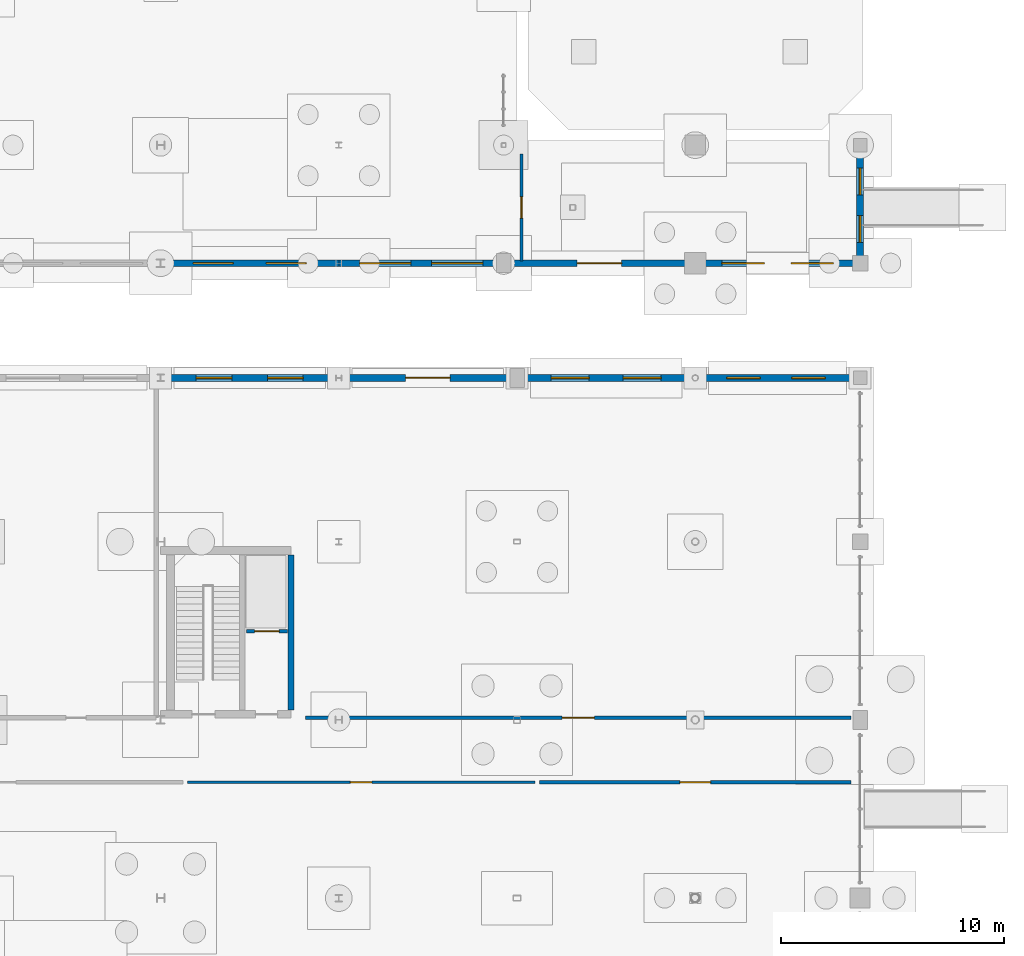
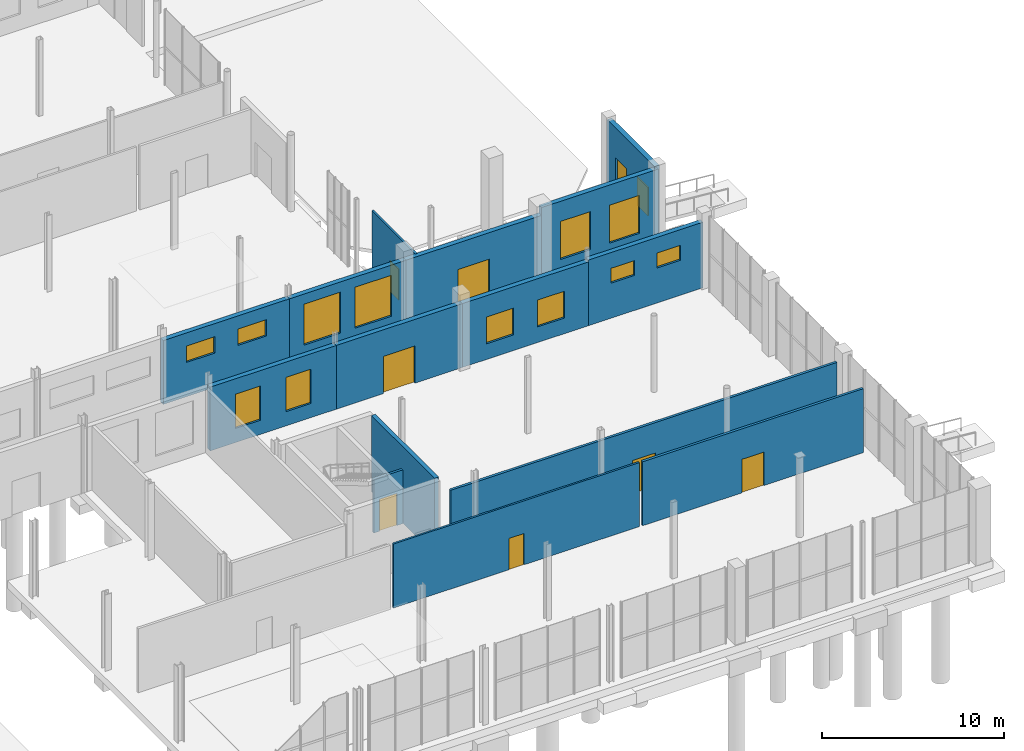
# One storey, part 72 of 87: 15 walls, 14 windows, 7 doors, 21 openings.
"""IFC4 building model written with IfcOpenShell, lengths in metres."""

from ifc_helpers import new_model, si_unit, direction, frame, frame_2d, origin, place, context, subcontext, project, spatial, rectangle, extrude, material, layer, layer_set, type_object, element, fill, save


model = new_model("IFC4")

# Units and contexts
model_context = context("Model", 3, precision=1e-05, world=origin(), true_north=direction((0.0, 1.0)))
body_context = subcontext(model_context, "Body", "Model", "MODEL_VIEW")
ifc_project = project(units=[si_unit("LENGTHUNIT", "METRE"), si_unit("AREAUNIT", "SQUARE_METRE"), si_unit("VOLUMEUNIT", "CUBIC_METRE"), si_unit("PLANEANGLEUNIT", "RADIAN"), si_unit("MASSUNIT", "GRAM", prefix="KILO")], contexts=[model_context])

# Site, building, storey
site_placement = place(None, origin())
site = spatial("IfcSite", under=ifc_project, at=site_placement, CompositionType="ELEMENT")
building_placement = place(site_placement, origin())
building = spatial("IfcBuilding", under=site, at=building_placement, Name="Brisemont Oceanarium", CompositionType="ELEMENT")
storey_placement = place(building_placement, origin())
storey = spatial("IfcBuildingStorey", under=building, at=storey_placement, Name="L00", CompositionType="ELEMENT", Elevation=0.0)

# Wall, openings, windows
ifc_material_1 = material(Name="Sierra Granite Ashlar Backup Concrete C35/45", Category="masonry")
ifc_layer_1 = layer(ifc_material_1, 0.300048828125)
ifc_layer_set_1 = layer_set([ifc_layer_1], Name="Sierra Granite Ashlar Backup Concrete C35/45")
wall_type_1 = type_object("IfcWallType", Name="EW-GRANITE-300", PredefinedType="STANDARD", material=ifc_layer_set_1)
wall_1_placement = place(storey_placement, frame((128.0, 31.35009765625, 0.0), z_axis=(0.0, 0.0, 1.0), x_axis=(1.0, 0.0, 0.0)))
wall_1 = element("IfcWall", 1, at=wall_1_placement, inside=storey, type_object=wall_type_1, Name="Beaux-Arts exterior wall EW-V3N-L00-2", PredefinedType="STANDARD", context=body_context, shape_type="SweptSolid", body=[
    extrude(rectangle(XDim=8.0, YDim=0.300048828125, at=frame_2d((4.0, 0.0))), origin(), (0.0, 0.0, 1.0), 4.280029296875),
])
opening_1_placement = place(wall_1_placement, frame((1.60009765625, 0.0, 0.949951171875)))
opening_1 = element("IfcOpeningElement", 2, at=opening_1_placement, cuts=wall_1, Name="Opening WIN-05", PredefinedType="OPENING", context=body_context, shape_type="SweptSolid", body=[
    extrude(rectangle(XDim=1.60009765625, YDim=2.300048828125, at=frame_2d((0.800048828125, 1.14990234375))), frame((0.0, 0.159912109375, 0.0), z_axis=(0.0, -1.0, 0.0), x_axis=(1.0, 0.0, 0.0)), (0.0, 0.0, 1.0), 0.320068359375),
])
opening_2_placement = place(wall_1_placement, frame((4.800048828125, 0.0, 0.949951171875)))
opening_2 = element("IfcOpeningElement", 3, at=opening_2_placement, cuts=wall_1, Name="Opening WIN-05", PredefinedType="OPENING", context=body_context, shape_type="SweptSolid", body=[
    extrude(rectangle(XDim=1.60009765625, YDim=2.300048828125, at=frame_2d((0.800048828125, 1.14990234375))), frame((0.0, 0.159912109375, 0.0), z_axis=(0.0, -1.0, 0.0), x_axis=(1.0, 0.0, 0.0)), (0.0, 0.0, 1.0), 0.320068359375),
])
ifc_material_2 = material(Name="Insulated Low-E Laminated Glass", Category="glass")
window_type_1 = type_object("IfcWindowType", Name="WIN-BA-1600X2300", PartitioningType="SINGLE_PANEL", PredefinedType="WINDOW", material=ifc_material_2)
window_1_placement = place(opening_1_placement, origin())
window_1 = element("IfcWindow", 4, at=window_1_placement, inside=storey, type_object=window_type_1, Name="WIN-05 facade window 5", OverallHeight=2.300048828125, OverallWidth=1.60009765625, PartitioningType="SINGLE_PANEL", PredefinedType="WINDOW", context=body_context, shape_type="SweptSolid", body=[
    extrude(rectangle(XDim=1.60009765625, YDim=2.300048828125, at=frame_2d((0.800048828125, 1.14990234375))), frame((0.0, 0.030029296875, 0.0), z_axis=(0.0, -1.0, 0.0), x_axis=(1.0, 0.0, 0.0)), (0.0, 0.0, 1.0), 0.06005859375),
])
fill(opening_1, window_1)
window_2_placement = place(opening_2_placement, origin())
window_2 = element("IfcWindow", 5, at=window_2_placement, inside=storey, type_object=window_type_1, Name="WIN-05 facade window 6", OverallHeight=2.300048828125, OverallWidth=1.60009765625, PartitioningType="SINGLE_PANEL", PredefinedType="WINDOW", context=body_context, shape_type="SweptSolid", body=[
    extrude(rectangle(XDim=1.60009765625, YDim=2.300048828125, at=frame_2d((0.800048828125, 1.14990234375))), frame((0.0, 0.030029296875, 0.0), z_axis=(0.0, -1.0, 0.0), x_axis=(1.0, 0.0, 0.0)), (0.0, 0.0, 1.0), 0.06005859375),
])
fill(opening_2, window_2)

# Wall, opening, door
wall_2_placement = place(storey_placement, frame((136.0, 31.35009765625, 0.0), z_axis=(0.0, 0.0, 1.0), x_axis=(1.0, 0.0, 0.0)))
wall_2 = element("IfcWall", 6, at=wall_2_placement, inside=storey, type_object=wall_type_1, Name="Beaux-Arts exterior wall EW-V3N-L00-3", PredefinedType="STANDARD", context=body_context, shape_type="SweptSolid", body=[
    extrude(rectangle(XDim=8.0, YDim=0.300048828125, at=frame_2d((4.0, 0.0))), origin(), (0.0, 0.0, 1.0), 4.280029296875),
])
opening_3_placement = place(wall_2_placement, frame((3.0, 0.0, 0.0)))
opening_3 = element("IfcOpeningElement", 7, at=opening_3_placement, cuts=wall_2, Name="Opening EX-02", PredefinedType="OPENING", context=body_context, shape_type="SweptSolid", body=[
    extrude(rectangle(XDim=2.0, YDim=2.5, at=frame_2d((1.0, 1.25))), frame((0.0, 0.159912109375, 0.0), z_axis=(0.0, -1.0, 0.0), x_axis=(1.0, 0.0, 0.0)), (0.0, 0.0, 1.0), 0.320068359375),
])
ifc_material_3 = material(Name="Patinated Architectural Bronze C38500")
door_type_1 = type_object("IfcDoorType", Name="DR-EXT-2000X2500", OperationType="NOTDEFINED", PredefinedType="DOOR", material=ifc_material_3)
door_1_placement = place(opening_3_placement, origin())
door_1 = element("IfcDoor", 8, at=door_1_placement, inside=storey, type_object=door_type_1, Name="EX-02 exterior entrance door 1", OperationType="DOUBLE_DOOR_SINGLE_SWING", OverallHeight=2.5, OverallWidth=2.0, PredefinedType="DOOR", context=body_context, shape_type="SweptSolid", body=[
    extrude(rectangle(XDim=2.0, YDim=2.5, at=frame_2d((1.0, 1.25))), frame((0.0, 0.02490234375, 0.0), z_axis=(0.0, -1.0, 0.0), x_axis=(1.0, 0.0, 0.0)), (0.0, 0.0, 1.0), 0.050048828125),
])
fill(opening_3, door_1)

# Wall, openings, windows
wall_3_placement = place(storey_placement, frame((144.0, 31.35009765625, 0.0), z_axis=(0.0, 0.0, 1.0), x_axis=(1.0, 0.0, 0.0)))
wall_3 = element("IfcWall", 9, at=wall_3_placement, inside=storey, type_object=wall_type_1, Name="Beaux-Arts exterior wall EW-V3N-L00-4", PredefinedType="STANDARD", context=body_context, shape_type="SweptSolid", body=[
    extrude(rectangle(XDim=8.0, YDim=0.300048828125, at=frame_2d((4.0, 0.0))), origin(), (0.0, 0.0, 1.0), 4.280029296875),
])
opening_4_placement = place(wall_3_placement, frame((1.533203125, 0.0, 1.050048828125)))
opening_4 = element("IfcOpeningElement", 10, at=opening_4_placement, cuts=wall_3, Name="Opening WIN-11", PredefinedType="OPENING", context=body_context, shape_type="SweptSolid", body=[
    extrude(rectangle(XDim=1.699951171875, YDim=1.800048828125, at=frame_2d((0.85009765625, 0.89990234375))), frame((0.0, 0.159912109375, 0.0), z_axis=(0.0, -1.0, 0.0), x_axis=(1.0, 0.0, 0.0)), (0.0, 0.0, 1.0), 0.320068359375),
])
opening_5_placement = place(wall_3_placement, frame((4.7666015625, 0.0, 1.050048828125)))
opening_5 = element("IfcOpeningElement", 11, at=opening_5_placement, cuts=wall_3, Name="Opening WIN-11", PredefinedType="OPENING", context=body_context, shape_type="SweptSolid", body=[
    extrude(rectangle(XDim=1.699951171875, YDim=1.800048828125, at=frame_2d((0.85009765625, 0.89990234375))), frame((0.0, 0.159912109375, 0.0), z_axis=(0.0, -1.0, 0.0), x_axis=(1.0, 0.0, 0.0)), (0.0, 0.0, 1.0), 0.320068359375),
])
ifc_material_4 = material(Name="Insulated Low-E Laminated Glass", Category="glass")
window_type_2 = type_object("IfcWindowType", Name="WIN-LAB-1700X1800", PartitioningType="SINGLE_PANEL", PredefinedType="WINDOW", material=ifc_material_4)
window_3_placement = place(opening_4_placement, origin())
window_3 = element("IfcWindow", 12, at=window_3_placement, inside=storey, type_object=window_type_2, Name="WIN-11 facade window 11", OverallHeight=1.800048828125, OverallWidth=1.699951171875, PartitioningType="SINGLE_PANEL", PredefinedType="WINDOW", context=body_context, shape_type="SweptSolid", body=[
    extrude(rectangle(XDim=1.699951171875, YDim=1.800048828125, at=frame_2d((0.85009765625, 0.89990234375))), frame((0.0, 0.030029296875, 0.0), z_axis=(0.0, -1.0, 0.0), x_axis=(1.0, 0.0, 0.0)), (0.0, 0.0, 1.0), 0.06005859375),
])
fill(opening_4, window_3)
window_4_placement = place(opening_5_placement, origin())
window_4 = element("IfcWindow", 13, at=window_4_placement, inside=storey, type_object=window_type_2, Name="WIN-11 facade window 12", OverallHeight=1.800048828125, OverallWidth=1.699951171875, PartitioningType="SINGLE_PANEL", PredefinedType="WINDOW", context=body_context, shape_type="SweptSolid", body=[
    extrude(rectangle(XDim=1.699951171875, YDim=1.800048828125, at=frame_2d((0.85009765625, 0.89990234375))), frame((0.0, 0.030029296875, 0.0), z_axis=(0.0, -1.0, 0.0), x_axis=(1.0, 0.0, 0.0)), (0.0, 0.0, 1.0), 0.06005859375),
])
fill(opening_5, window_4)

wall_4_placement = place(storey_placement, frame((152.0, 31.35009765625, 0.0), z_axis=(0.0, 0.0, 1.0), x_axis=(1.0, 0.0, 0.0)))
wall_4 = element("IfcWall", 14, at=wall_4_placement, inside=storey, type_object=wall_type_1, Name="Beaux-Arts exterior wall EW-V3N-L00-5", PredefinedType="STANDARD", context=body_context, shape_type="SweptSolid", body=[
    extrude(rectangle(XDim=7.25, YDim=0.300048828125, at=frame_2d((3.625, 0.0))), origin(), (0.0, 0.0, 1.0), 4.402099609375),
])
opening_6_placement = place(wall_4_placement, frame((1.416748046875, 0.0, 2.35009765625)))
opening_6 = element("IfcOpeningElement", 15, at=opening_6_placement, cuts=wall_4, Name="Opening WIN-15", PredefinedType="OPENING", context=body_context, shape_type="SweptSolid", body=[
    extrude(rectangle(XDim=1.5, YDim=1.0, at=frame_2d((0.75, 0.5))), frame((0.0, 0.159912109375, 0.0), z_axis=(0.0, -1.0, 0.0), x_axis=(1.0, 0.0, 0.0)), (0.0, 0.0, 1.0), 0.320068359375),
])
opening_7_placement = place(wall_4_placement, frame((4.333251953125, 0.0, 2.35009765625)))
opening_7 = element("IfcOpeningElement", 16, at=opening_7_placement, cuts=wall_4, Name="Opening WIN-15", PredefinedType="OPENING", context=body_context, shape_type="SweptSolid", body=[
    extrude(rectangle(XDim=1.5, YDim=1.0, at=frame_2d((0.75, 0.5))), frame((0.0, 0.159912109375, 0.0), z_axis=(0.0, -1.0, 0.0), x_axis=(1.0, 0.0, 0.0)), (0.0, 0.0, 1.0), 0.320068359375),
])
ifc_material_5 = material(Name="Insulated Low-E Laminated Glass", Category="glass")
window_type_3 = type_object("IfcWindowType", Name="WIN-CLR-1500X1000", PartitioningType="SINGLE_PANEL", PredefinedType="WINDOW", material=ifc_material_5)
window_5_placement = place(opening_6_placement, origin())
window_5 = element("IfcWindow", 17, at=window_5_placement, inside=storey, type_object=window_type_3, Name="WIN-15 facade window 15", OverallHeight=1.0, OverallWidth=1.5, PartitioningType="SINGLE_PANEL", PredefinedType="WINDOW", context=body_context, shape_type="SweptSolid", body=[
    extrude(rectangle(XDim=1.5, YDim=1.0, at=frame_2d((0.75, 0.5))), frame((0.0, 0.030029296875, 0.0), z_axis=(0.0, -1.0, 0.0), x_axis=(1.0, 0.0, 0.0)), (0.0, 0.0, 1.0), 0.06005859375),
])
fill(opening_6, window_5)
window_6_placement = place(opening_7_placement, origin())
window_6 = element("IfcWindow", 18, at=window_6_placement, inside=storey, type_object=window_type_3, Name="WIN-15 facade window 16", OverallHeight=1.0, OverallWidth=1.5, PartitioningType="SINGLE_PANEL", PredefinedType="WINDOW", context=body_context, shape_type="SweptSolid", body=[
    extrude(rectangle(XDim=1.5, YDim=1.0, at=frame_2d((0.75, 0.5))), frame((0.0, 0.030029296875, 0.0), z_axis=(0.0, -1.0, 0.0), x_axis=(1.0, 0.0, 0.0)), (0.0, 0.0, 1.0), 0.06005859375),
])
fill(opening_7, window_6)

wall_5_placement = place(storey_placement, frame((128.0, 36.5, 0.0), z_axis=(0.0, 0.0, 1.0), x_axis=(1.0, 0.0, 0.0)))
wall_5 = element("IfcWall", 19, at=wall_5_placement, inside=storey, type_object=wall_type_1, Name="Beaux-Arts exterior wall EW-V5ES-L00-3", PredefinedType="STANDARD", context=body_context, shape_type="SweptSolid", body=[
    extrude(rectangle(XDim=8.0, YDim=0.300048828125, at=frame_2d((4.0, 0.0))), origin(), (0.0, 0.0, 1.0), 4.280029296875),
])
opening_8_placement = place(wall_5_placement, frame((1.466796875, 0.0, 2.300048828125)))
opening_8 = element("IfcOpeningElement", 20, at=opening_8_placement, cuts=wall_5, Name="Opening WIN-14", PredefinedType="OPENING", context=body_context, shape_type="SweptSolid", body=[
    extrude(rectangle(XDim=1.800048828125, YDim=1.10009765625, at=frame_2d((0.89990234375, 0.550048828125))), frame((0.0, 0.159912109375, 0.0), z_axis=(0.0, -1.0, 0.0), x_axis=(1.0, 0.0, 0.0)), (0.0, 0.0, 1.0), 0.320068359375),
])
opening_9_placement = place(wall_5_placement, frame((4.7333984375, 0.0, 2.300048828125)))
opening_9 = element("IfcOpeningElement", 21, at=opening_9_placement, cuts=wall_5, Name="Opening WIN-14", PredefinedType="OPENING", context=body_context, shape_type="SweptSolid", body=[
    extrude(rectangle(XDim=1.800048828125, YDim=1.10009765625, at=frame_2d((0.89990234375, 0.550048828125))), frame((0.0, 0.159912109375, 0.0), z_axis=(0.0, -1.0, 0.0), x_axis=(1.0, 0.0, 0.0)), (0.0, 0.0, 1.0), 0.320068359375),
])
ifc_material_6 = material(Name="Insulated Low-E Laminated Glass", Category="glass")
window_type_4 = type_object("IfcWindowType", Name="WIN-CLR-1800X1100", PartitioningType="SINGLE_PANEL", PredefinedType="WINDOW", material=ifc_material_6)
window_7_placement = place(opening_8_placement, origin())
window_7 = element("IfcWindow", 22, at=window_7_placement, inside=storey, type_object=window_type_4, Name="WIN-14 facade window 41", OverallHeight=1.10009765625, OverallWidth=1.800048828125, PartitioningType="SINGLE_PANEL", PredefinedType="WINDOW", context=body_context, shape_type="SweptSolid", body=[
    extrude(rectangle(XDim=1.800048828125, YDim=1.10009765625, at=frame_2d((0.89990234375, 0.550048828125))), frame((0.0, 0.030029296875, 0.0), z_axis=(0.0, -1.0, 0.0), x_axis=(1.0, 0.0, 0.0)), (0.0, 0.0, 1.0), 0.06005859375),
])
fill(opening_8, window_7)
window_8_placement = place(opening_9_placement, origin())
window_8 = element("IfcWindow", 23, at=window_8_placement, inside=storey, type_object=window_type_4, Name="WIN-14 facade window 42", OverallHeight=1.10009765625, OverallWidth=1.800048828125, PartitioningType="SINGLE_PANEL", PredefinedType="WINDOW", context=body_context, shape_type="SweptSolid", body=[
    extrude(rectangle(XDim=1.800048828125, YDim=1.10009765625, at=frame_2d((0.89990234375, 0.550048828125))), frame((0.0, 0.030029296875, 0.0), z_axis=(0.0, -1.0, 0.0), x_axis=(1.0, 0.0, 0.0)), (0.0, 0.0, 1.0), 0.06005859375),
])
fill(opening_9, window_8)

wall_6_placement = place(storey_placement, frame((136.0, 36.5, 0.0), z_axis=(0.0, 0.0, 1.0), x_axis=(1.0, 0.0, 0.0)))
wall_6 = element("IfcWall", 24, at=wall_6_placement, inside=storey, type_object=wall_type_1, Name="Beaux-Arts exterior wall EW-V5ES-L00-4", PredefinedType="STANDARD", context=body_context, shape_type="SweptSolid", body=[
    extrude(rectangle(XDim=7.39990234375, YDim=0.300048828125, at=frame_2d((3.699951171875, 0.0))), origin(), (0.0, 0.0, 1.0), 4.280029296875),
])
opening_10_placement = place(wall_6_placement, frame((0.933349609375, 0.0, 0.85009765625)))
opening_10 = element("IfcOpeningElement", 25, at=opening_10_placement, cuts=wall_6, Name="Opening WIN-16", PredefinedType="OPENING", context=body_context, shape_type="SweptSolid", body=[
    extrude(rectangle(XDim=2.300048828125, YDim=2.75, at=frame_2d((1.14990234375, 1.375))), frame((0.0, 0.159912109375, 0.0), z_axis=(0.0, -1.0, 0.0), x_axis=(1.0, 0.0, 0.0)), (0.0, 0.0, 1.0), 0.320068359375),
])
opening_11_placement = place(wall_6_placement, frame((4.166748046875, 0.0, 0.85009765625)))
opening_11 = element("IfcOpeningElement", 26, at=opening_11_placement, cuts=wall_6, Name="Opening WIN-16", PredefinedType="OPENING", context=body_context, shape_type="SweptSolid", body=[
    extrude(rectangle(XDim=2.300048828125, YDim=2.75, at=frame_2d((1.14990234375, 1.375))), frame((0.0, 0.159912109375, 0.0), z_axis=(0.0, -1.0, 0.0), x_axis=(1.0, 0.0, 0.0)), (0.0, 0.0, 1.0), 0.320068359375),
])
ifc_material_7 = material(Name="Insulated Low-E Laminated Glass", Category="glass")
window_type_5 = type_object("IfcWindowType", Name="WIN-BA-2300X2750", PartitioningType="SINGLE_PANEL", PredefinedType="WINDOW", material=ifc_material_7)
window_9_placement = place(opening_10_placement, origin())
window_9 = element("IfcWindow", 27, at=window_9_placement, inside=storey, type_object=window_type_5, Name="WIN-16 facade window 43", OverallHeight=2.75, OverallWidth=2.300048828125, PartitioningType="SINGLE_PANEL", PredefinedType="WINDOW", context=body_context, shape_type="SweptSolid", body=[
    extrude(rectangle(XDim=2.300048828125, YDim=2.75, at=frame_2d((1.14990234375, 1.375))), frame((0.0, 0.030029296875, 0.0), z_axis=(0.0, -1.0, 0.0), x_axis=(1.0, 0.0, 0.0)), (0.0, 0.0, 1.0), 0.06005859375),
])
fill(opening_10, window_9)
window_10_placement = place(opening_11_placement, origin())
window_10 = element("IfcWindow", 28, at=window_10_placement, inside=storey, type_object=window_type_5, Name="WIN-16 facade window 44", OverallHeight=2.75, OverallWidth=2.300048828125, PartitioningType="SINGLE_PANEL", PredefinedType="WINDOW", context=body_context, shape_type="SweptSolid", body=[
    extrude(rectangle(XDim=2.300048828125, YDim=2.75, at=frame_2d((1.14990234375, 1.375))), frame((0.0, 0.030029296875, 0.0), z_axis=(0.0, -1.0, 0.0), x_axis=(1.0, 0.0, 0.0)), (0.0, 0.0, 1.0), 0.06005859375),
])
fill(opening_11, window_10)

# Wall, opening, door
wall_7_placement = place(storey_placement, frame((143.39990234375, 36.5, 0.0), z_axis=(0.0, 0.0, 1.0), x_axis=(1.0, 0.0, 0.0)))
wall_7 = element("IfcWall", 29, at=wall_7_placement, inside=storey, type_object=wall_type_1, Name="Beaux-Arts exterior wall EW-V5ES-L00-5", PredefinedType="STANDARD", context=body_context, shape_type="SweptSolid", body=[
    extrude(rectangle(XDim=8.60009765625, YDim=0.300048828125, at=frame_2d((4.300048828125, 0.0))), origin(), (0.0, 0.0, 1.0), 4.280029296875),
])
opening_12_placement = place(wall_7_placement, frame((3.300048828125, 0.0, 0.0)))
opening_12 = element("IfcOpeningElement", 30, at=opening_12_placement, cuts=wall_7, Name="Opening EX-02", PredefinedType="OPENING", context=body_context, shape_type="SweptSolid", body=[
    extrude(rectangle(XDim=2.0, YDim=2.5, at=frame_2d((1.0, 1.25))), frame((0.0, 0.159912109375, 0.0), z_axis=(0.0, -1.0, 0.0), x_axis=(1.0, 0.0, 0.0)), (0.0, 0.0, 1.0), 0.320068359375),
])
door_2_placement = place(opening_12_placement, origin())
door_2 = element("IfcDoor", 31, at=door_2_placement, inside=storey, type_object=door_type_1, Name="EX-02 exterior entrance door 5", OperationType="DOUBLE_DOOR_SINGLE_SWING", OverallHeight=2.5, OverallWidth=2.0, PredefinedType="DOOR", context=body_context, shape_type="SweptSolid", body=[
    extrude(rectangle(XDim=2.0, YDim=2.5, at=frame_2d((1.0, 1.25))), frame((0.0, 0.02490234375, 0.0), z_axis=(0.0, -1.0, 0.0), x_axis=(1.0, 0.0, 0.0)), (0.0, 0.0, 1.0), 0.050048828125),
])
fill(opening_12, door_2)

# Wall, openings, windows
wall_8_placement = place(storey_placement, frame((152.0, 36.5, 0.0), z_axis=(0.0, 0.0, 1.0), x_axis=(1.0, 0.0, 0.0)))
wall_8 = element("IfcWall", 32, at=wall_8_placement, inside=storey, type_object=wall_type_1, Name="Beaux-Arts exterior wall EW-V5ES-L00-6", PredefinedType="STANDARD", context=body_context, shape_type="SweptSolid", body=[
    extrude(rectangle(XDim=7.39990234375, YDim=0.300048828125, at=frame_2d((3.699951171875, 0.0))), origin(), (0.0, 0.0, 1.0), 4.800048828125),
])
opening_13_placement = place(wall_8_placement, frame((1.199951171875, 0.0, 0.89990234375)))
opening_13 = element("IfcOpeningElement", 33, at=opening_13_placement, cuts=wall_8, Name="Opening WIN-18", PredefinedType="OPENING", context=body_context, shape_type="SweptSolid", body=[
    extrude(rectangle(XDim=1.89990234375, YDim=2.550048828125, at=frame_2d((0.949951171875, 1.27490234375))), frame((0.0, 0.159912109375, 0.0), z_axis=(0.0, -1.0, 0.0), x_axis=(1.0, 0.0, 0.0)), (0.0, 0.0, 1.0), 0.320068359375),
])
opening_14_placement = place(wall_8_placement, frame((4.300048828125, 0.0, 0.89990234375)))
opening_14 = element("IfcOpeningElement", 34, at=opening_14_placement, cuts=wall_8, Name="Opening WIN-18", PredefinedType="OPENING", context=body_context, shape_type="SweptSolid", body=[
    extrude(rectangle(XDim=1.89990234375, YDim=2.550048828125, at=frame_2d((0.949951171875, 1.27490234375))), frame((0.0, 0.159912109375, 0.0), z_axis=(0.0, -1.0, 0.0), x_axis=(1.0, 0.0, 0.0)), (0.0, 0.0, 1.0), 0.320068359375),
])
ifc_material_8 = material(Name="Insulated Low-E Laminated Glass", Category="glass")
window_type_6 = type_object("IfcWindowType", Name="WIN-BA-1900X2550", PartitioningType="SINGLE_PANEL", PredefinedType="WINDOW", material=ifc_material_8)
window_11_placement = place(opening_13_placement, origin())
window_11 = element("IfcWindow", 35, at=window_11_placement, inside=storey, type_object=window_type_6, Name="WIN-18 facade window 45", OverallHeight=2.550048828125, OverallWidth=1.89990234375, PartitioningType="SINGLE_PANEL", PredefinedType="WINDOW", context=body_context, shape_type="SweptSolid", body=[
    extrude(rectangle(XDim=1.89990234375, YDim=2.550048828125, at=frame_2d((0.949951171875, 1.27490234375))), frame((0.0, 0.030029296875, 0.0), z_axis=(0.0, -1.0, 0.0), x_axis=(1.0, 0.0, 0.0)), (0.0, 0.0, 1.0), 0.06005859375),
])
fill(opening_13, window_11)
window_12_placement = place(opening_14_placement, origin())
window_12 = element("IfcWindow", 36, at=window_12_placement, inside=storey, type_object=window_type_6, Name="WIN-18 facade window 46", OverallHeight=2.550048828125, OverallWidth=1.89990234375, PartitioningType="SINGLE_PANEL", PredefinedType="WINDOW", context=body_context, shape_type="SweptSolid", body=[
    extrude(rectangle(XDim=1.89990234375, YDim=2.550048828125, at=frame_2d((0.949951171875, 1.27490234375))), frame((0.0, 0.030029296875, 0.0), z_axis=(0.0, -1.0, 0.0), x_axis=(1.0, 0.0, 0.0)), (0.0, 0.0, 1.0), 0.06005859375),
])
fill(opening_14, window_12)

wall_9_placement = place(storey_placement, frame((159.39990234375, 36.5, 0.0), z_axis=(0.0, 0.0, 1.0), x_axis=(0.0, 1.0, 0.0)))
wall_9 = element("IfcWall", 37, at=wall_9_placement, inside=storey, type_object=wall_type_1, Name="Beaux-Arts exterior wall EW-V5E-ES-L00", PredefinedType="STANDARD", context=body_context, shape_type="SweptSolid", body=[
    extrude(rectangle(XDim=5.199951171875, YDim=0.300048828125, at=frame_2d((2.60009765625, 0.0))), origin(), (0.0, 0.0, 1.0), 4.919921875),
])
opening_15_placement = place(wall_9_placement, frame((0.933349609375, 0.0, 1.0)))
opening_15 = element("IfcOpeningElement", 38, at=opening_15_placement, cuts=wall_9, Name="Opening WIN-08", PredefinedType="OPENING", context=body_context, shape_type="SweptSolid", body=[
    extrude(rectangle(XDim=1.199951171875, YDim=1.89990234375, at=frame_2d((0.60009765625, 0.949951171875))), frame((0.0, 0.159912109375, 0.0), z_axis=(0.0, -1.0, 0.0), x_axis=(1.0, 0.0, 0.0)), (0.0, 0.0, 1.0), 0.320068359375),
])
opening_16_placement = place(wall_9_placement, frame((3.066650390625, 0.0, 1.0)))
opening_16 = element("IfcOpeningElement", 39, at=opening_16_placement, cuts=wall_9, Name="Opening WIN-08", PredefinedType="OPENING", context=body_context, shape_type="SweptSolid", body=[
    extrude(rectangle(XDim=1.199951171875, YDim=1.89990234375, at=frame_2d((0.60009765625, 0.949951171875))), frame((0.0, 0.159912109375, 0.0), z_axis=(0.0, -1.0, 0.0), x_axis=(1.0, 0.0, 0.0)), (0.0, 0.0, 1.0), 0.320068359375),
])
ifc_material_9 = material(Name="Insulated Low-E Laminated Glass", Category="glass")
window_type_7 = type_object("IfcWindowType", Name="WIN-BA-1200X1900", PartitioningType="SINGLE_PANEL", PredefinedType="WINDOW", material=ifc_material_9)
window_13_placement = place(opening_15_placement, origin())
window_13 = element("IfcWindow", 40, at=window_13_placement, inside=storey, type_object=window_type_7, Name="WIN-08 facade window 116", OverallHeight=1.89990234375, OverallWidth=1.199951171875, PartitioningType="SINGLE_PANEL", PredefinedType="WINDOW", context=body_context, shape_type="SweptSolid", body=[
    extrude(rectangle(XDim=1.199951171875, YDim=1.89990234375, at=frame_2d((0.60009765625, 0.949951171875))), frame((0.0, 0.030029296875, 0.0), z_axis=(0.0, -1.0, 0.0), x_axis=(1.0, 0.0, 0.0)), (0.0, 0.0, 1.0), 0.06005859375),
])
fill(opening_15, window_13)
window_14_placement = place(opening_16_placement, origin())
window_14 = element("IfcWindow", 41, at=window_14_placement, inside=storey, type_object=window_type_7, Name="WIN-08 facade window 117", OverallHeight=1.89990234375, OverallWidth=1.199951171875, PartitioningType="SINGLE_PANEL", PredefinedType="WINDOW", context=body_context, shape_type="SweptSolid", body=[
    extrude(rectangle(XDim=1.199951171875, YDim=1.89990234375, at=frame_2d((0.60009765625, 0.949951171875))), frame((0.0, 0.030029296875, 0.0), z_axis=(0.0, -1.0, 0.0), x_axis=(1.0, 0.0, 0.0)), (0.0, 0.0, 1.0), 0.06005859375),
])
fill(opening_16, window_14)

# Wall, opening, door
ifc_material_10 = material(Name="Moisture-Resistant Gypsum Steel-Stud Partition", Category="steel")
ifc_layer_2 = layer(ifc_material_10, 0.159912109375)
ifc_layer_set_2 = layer_set([ifc_layer_2], Name="Moisture-Resistant Gypsum Steel-Stud Partition")
wall_type_2 = type_object("IfcWallType", Name="IW-FB-160", PredefinedType="PARTITIONING", material=ifc_layer_set_2)
wall_10_placement = place(storey_placement, frame((131.85009765625, 19.969970703125, 0.0), z_axis=(0.0, 0.0, 1.0), x_axis=(1.0, 0.0, 0.0)))
wall_10 = element("IfcWall", 42, at=wall_10_placement, inside=storey, type_object=wall_type_2, Name="Core C4 L00 lift hoistway front wall", PredefinedType="PARTITIONING", context=body_context, shape_type="SweptSolid", body=[
    extrude(rectangle(XDim=1.83984375, YDim=0.159912109375, at=frame_2d((0.919921875, 0.0))), origin(), (0.0, 0.0, 1.0), 3.60009765625),
])
opening_17_placement = place(wall_10_placement, frame((0.3701171875, 0.0, 0.0)))
opening_17 = element("IfcOpeningElement", 43, at=opening_17_placement, cuts=wall_10, Name="Opening LD-01", PredefinedType="OPENING", context=body_context, shape_type="SweptSolid", body=[
    extrude(rectangle(XDim=1.10009765625, YDim=2.14990234375, at=frame_2d((0.550048828125, 1.074951171875))), frame((0.0, 0.08984375, 0.0), z_axis=(0.0, -1.0, 0.0), x_axis=(1.0, 0.0, 0.0)), (0.0, 0.0, 1.0), 0.179931640625),
])
ifc_material_11 = material(Name="Duplex Stainless Steel EN 1.4462", Category="steel")
door_type_2 = type_object("IfcDoorType", Name="DR-LIFT-1100X2150", OperationType="NOTDEFINED", PredefinedType="DOOR", material=ifc_material_11)
door_3_placement = place(opening_17_placement, origin())
door_3 = element("IfcDoor", 44, at=door_3_placement, inside=storey, type_object=door_type_2, Name="Lift landing door LF-04 L00", OperationType="SLIDING_TO_LEFT", OverallHeight=2.14990234375, OverallWidth=1.10009765625, PredefinedType="DOOR", context=body_context, shape_type="SweptSolid", body=[
    extrude(rectangle(XDim=1.10009765625, YDim=2.14990234375, at=frame_2d((0.550048828125, 1.074951171875))), frame((0.0, 0.02490234375, 0.0), z_axis=(0.0, -1.0, 0.0), x_axis=(1.0, 0.0, 0.0)), (0.0, 0.0, 1.0), 0.050048828125),
])
fill(opening_17, door_3)

wall_11_placement = place(storey_placement, frame((145.0, 13.199951171875, 0.0), z_axis=(0.0, 0.0, 1.0), x_axis=(1.0, 0.0, 0.0)))
wall_11 = element("IfcWall", 45, at=wall_11_placement, inside=storey, type_object=wall_type_2, Name="Education Centre Lecture Amphitheatre corridor partition", PredefinedType="PARTITIONING", context=body_context, shape_type="SweptSolid", body=[
    extrude(rectangle(XDim=14.0, YDim=0.159912109375, at=frame_2d((7.0, 0.0))), origin(), (0.0, 0.0, 1.0), 4.2900390625),
])
opening_18_placement = place(wall_11_placement, frame((6.31005859375, 0.0, 0.0)))
opening_18 = element("IfcOpeningElement", 46, at=opening_18_placement, cuts=wall_11, Name="Opening PD-01", PredefinedType="OPENING", context=body_context, shape_type="SweptSolid", body=[
    extrude(rectangle(XDim=1.3798828125, YDim=2.25, at=frame_2d((0.68994140625, 1.125))), frame((0.0, 0.08984375, 0.0), z_axis=(0.0, -1.0, 0.0), x_axis=(1.0, 0.0, 0.0)), (0.0, 0.0, 1.0), 0.179931640625),
])
ifc_material_12 = material(Name="Duplex Stainless Steel EN 1.4462", Category="steel")
door_type_3 = type_object("IfcDoorType", Name="DR-PLT-1380X2250", OperationType="NOTDEFINED", PredefinedType="DOOR", material=ifc_material_12)
door_4_placement = place(opening_18_placement, origin())
door_4 = element("IfcDoor", 47, at=door_4_placement, inside=storey, type_object=door_type_3, Name="PD-01 door to Education Centre Lecture Amphitheatre", OperationType="SINGLE_SWING_RIGHT", OverallHeight=2.25, OverallWidth=1.3798828125, PredefinedType="DOOR", context=body_context, shape_type="SweptSolid", body=[
    extrude(rectangle(XDim=1.3798828125, YDim=2.25, at=frame_2d((0.68994140625, 1.125))), frame((0.0, 0.02490234375, 0.0), z_axis=(0.0, -1.0, 0.0), x_axis=(1.0, 0.0, 0.0)), (0.0, 0.0, 1.0), 0.050048828125),
])
fill(opening_18, door_4)

wall_12_placement = place(storey_placement, frame((134.5, 16.10009765625, 0.0), z_axis=(0.0, 0.0, 1.0), x_axis=(1.0, 0.0, 0.0)))
wall_12 = element("IfcWall", 48, at=wall_12_placement, inside=storey, type_object=wall_type_2, Name="Education Centre STEM Marine Lab corridor partition", PredefinedType="PARTITIONING", context=body_context, shape_type="SweptSolid", body=[
    extrude(rectangle(XDim=24.5, YDim=0.159912109375, at=frame_2d((12.25, 0.0))), origin(), (0.0, 0.0, 1.0), 4.2900390625),
])
opening_19_placement = place(wall_12_placement, frame((11.52490234375, 0.0, 0.0)))
opening_19 = element("IfcOpeningElement", 49, at=opening_19_placement, cuts=wall_12, Name="Opening FD90-1", PredefinedType="OPENING", context=body_context, shape_type="SweptSolid", body=[
    extrude(rectangle(XDim=1.449951171875, YDim=2.25, at=frame_2d((0.72509765625, 1.125))), frame((0.0, 0.08984375, 0.0), z_axis=(0.0, -1.0, 0.0), x_axis=(1.0, 0.0, 0.0)), (0.0, 0.0, 1.0), 0.179931640625),
])
ifc_material_13 = material(Name="FSC White Oak Solid-Core Fire Door")
door_type_4 = type_object("IfcDoorType", Name="DR-LOB-1450X2250", OperationType="NOTDEFINED", PredefinedType="DOOR", material=ifc_material_13)
door_5_placement = place(opening_19_placement, origin())
door_5 = element("IfcDoor", 50, at=door_5_placement, inside=storey, type_object=door_type_4, Name="FD90-1 door to Education Centre STEM Marine Lab", OperationType="SINGLE_SWING_RIGHT", OverallHeight=2.25, OverallWidth=1.449951171875, PredefinedType="DOOR", context=body_context, shape_type="SweptSolid", body=[
    extrude(rectangle(XDim=1.449951171875, YDim=2.25, at=frame_2d((0.72509765625, 1.125))), frame((0.0, 0.02490234375, 0.0), z_axis=(0.0, -1.0, 0.0), x_axis=(1.0, 0.0, 0.0)), (0.0, 0.0, 1.0), 0.050048828125),
])
fill(opening_19, door_5)

ifc_material_14 = material(Name="Moisture-Resistant Gypsum Steel-Stud Partition", Category="steel")
ifc_layer_3 = layer(ifc_material_14, 0.1201171875)
ifc_layer_set_3 = layer_set([ifc_layer_3], Name="Moisture-Resistant Gypsum Steel-Stud Partition")
wall_type_3 = type_object("IfcWallType", Name="IW-PART-120", PredefinedType="PARTITIONING", material=ifc_layer_set_3)
wall_13_placement = place(storey_placement, frame((129.199951171875, 13.199951171875, 0.0), z_axis=(0.0, 0.0, 1.0), x_axis=(1.0, 0.0, 0.0)))
wall_13 = element("IfcWall", 51, at=wall_13_placement, inside=storey, type_object=wall_type_3, Name="Education Centre Tidepool Touch Discovery Lab corridor partition", PredefinedType="PARTITIONING", context=body_context, shape_type="SweptSolid", body=[
    extrude(rectangle(XDim=15.60009765625, YDim=0.1201171875, at=frame_2d((7.800048828125, 0.0))), origin(), (0.0, 0.0, 1.0), 4.2900390625),
])
opening_20_placement = place(wall_13_placement, frame((7.320068359375, 0.0, 0.0)))
opening_20 = element("IfcOpeningElement", 52, at=opening_20_placement, cuts=wall_13, Name="Opening D-02", PredefinedType="OPENING", context=body_context, shape_type="SweptSolid", body=[
    extrude(rectangle(XDim=0.9599609375, YDim=2.10009765625, at=frame_2d((0.47998046875, 1.050048828125))), frame((0.0, 0.070068359375, 0.0), z_axis=(0.0, -1.0, 0.0), x_axis=(1.0, 0.0, 0.0)), (0.0, 0.0, 1.0), 0.14013671875),
])
ifc_material_15 = material(Name="FSC White Oak Solid-Core Fire Door")
door_type_5 = type_object("IfcDoorType", Name="DR-RM-960X2100", OperationType="NOTDEFINED", PredefinedType="DOOR", material=ifc_material_15)
door_6_placement = place(opening_20_placement, origin())
door_6 = element("IfcDoor", 53, at=door_6_placement, inside=storey, type_object=door_type_5, Name="D-02 door to Education Centre Tidepool Touch Discovery Lab", OperationType="SINGLE_SWING_LEFT", OverallHeight=2.10009765625, OverallWidth=0.9599609375, PredefinedType="DOOR", context=body_context, shape_type="SweptSolid", body=[
    extrude(rectangle(XDim=0.9599609375, YDim=2.10009765625, at=frame_2d((0.47998046875, 1.050048828125))), frame((0.0, 0.02490234375, 0.0), z_axis=(0.0, -1.0, 0.0), x_axis=(1.0, 0.0, 0.0)), (0.0, 0.0, 1.0), 0.050048828125),
])
fill(opening_20, door_6)

wall_14_placement = place(storey_placement, frame((144.199951171875, 36.60009765625, 0.0), z_axis=(0.0, 0.0, 1.0), x_axis=(0.0, 1.0, 0.0)))
wall_14 = element("IfcWall", 54, at=wall_14_placement, inside=storey, type_object=wall_type_3, Name="Harbor Cafe Dining Hall corridor partition", PredefinedType="PARTITIONING", context=body_context, shape_type="SweptSolid", body=[
    extrude(rectangle(XDim=4.7998046875, YDim=0.1201171875, at=frame_2d((2.39990234375, 0.0))), origin(), (0.0, 0.0, 1.0), 4.2900390625),
])
opening_21_placement = place(wall_14_placement, frame((1.919921875, 0.0, 0.0)))
opening_21 = element("IfcOpeningElement", 55, at=opening_21_placement, cuts=wall_14, Name="Opening D-02", PredefinedType="OPENING", context=body_context, shape_type="SweptSolid", body=[
    extrude(rectangle(XDim=0.9599609375, YDim=2.10009765625, at=frame_2d((0.47998046875, 1.050048828125))), frame((0.0, 0.070068359375, 0.0), z_axis=(0.0, -1.0, 0.0), x_axis=(1.0, 0.0, 0.0)), (0.0, 0.0, 1.0), 0.14013671875),
])
door_7_placement = place(opening_21_placement, origin())
door_7 = element("IfcDoor", 56, at=door_7_placement, inside=storey, type_object=door_type_5, Name="D-02 door to Harbor Cafe Dining Hall", OperationType="SINGLE_SWING_RIGHT", OverallHeight=2.10009765625, OverallWidth=0.9599609375, PredefinedType="DOOR", context=body_context, shape_type="SweptSolid", body=[
    extrude(rectangle(XDim=0.9599609375, YDim=2.10009765625, at=frame_2d((0.47998046875, 1.050048828125))), frame((0.0, 0.02490234375, 0.0), z_axis=(0.0, -1.0, 0.0), x_axis=(1.0, 0.0, 0.0)), (0.0, 0.0, 1.0), 0.050048828125),
])
fill(opening_21, door_7)

# Wall
ifc_material_16 = material(Name="Concrete C40/50", Category="concrete")
ifc_layer_4 = layer(ifc_material_16, 0.260009765625)
ifc_layer_set_4 = layer_set([ifc_layer_4], Name="Concrete C40/50")
wall_type_4 = type_object("IfcWallType", Name="SW-SHAFT-260", PredefinedType="SHEAR", material=ifc_layer_set_4)
wall_15_placement = place(storey_placement, frame((133.85009765625, 16.449951171875, 0.0), z_axis=(0.0, 0.0, 1.0), x_axis=(0.0, 1.0, 0.0)))
element("IfcWall", 57, at=wall_15_placement, inside=storey, type_object=wall_type_4, Name="Core C4 L00 E RC shear wall", PredefinedType="SHEAR", context=body_context, shape_type="SweptSolid", body=[
    extrude(rectangle(XDim=6.949951171875, YDim=0.260009765625, at=frame_2d((3.47509765625, 0.0))), origin(), (0.0, 0.0, 1.0), 5.110107421875),
])

save(model, "model.ifc")
